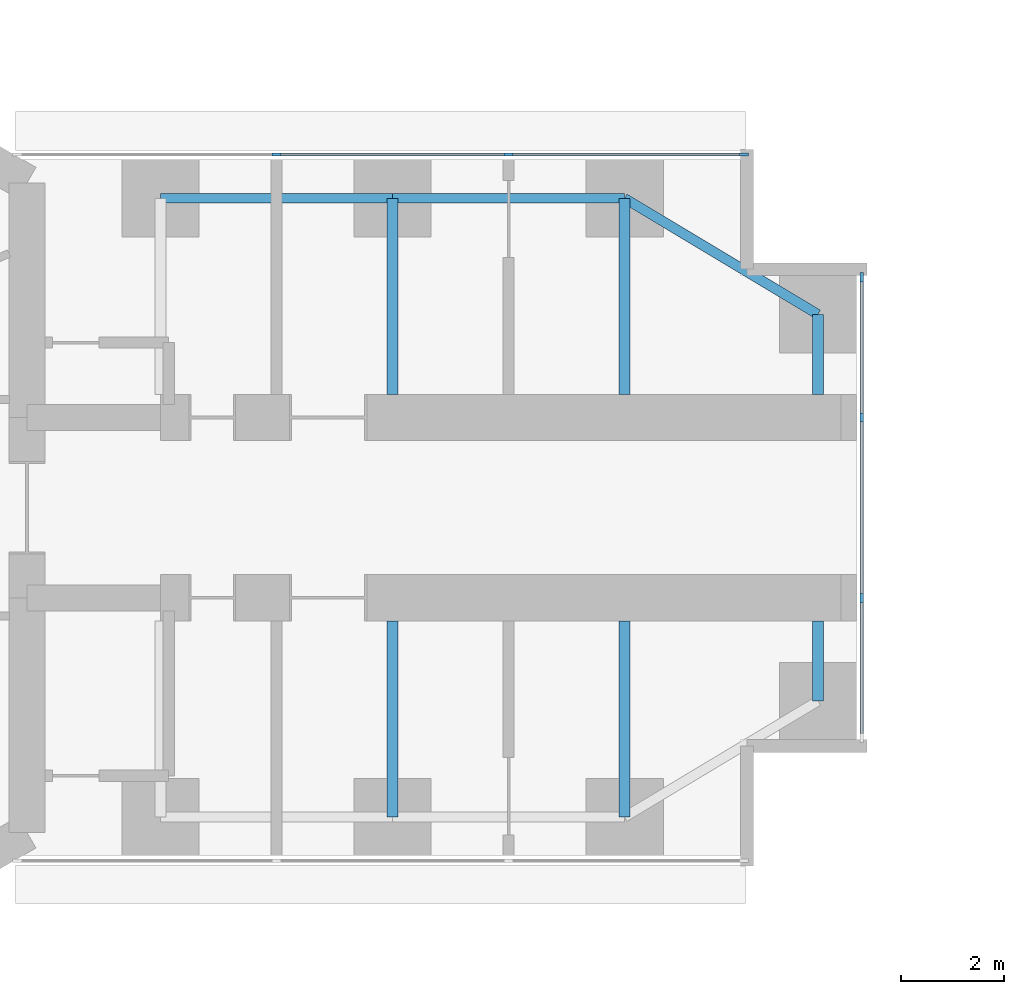
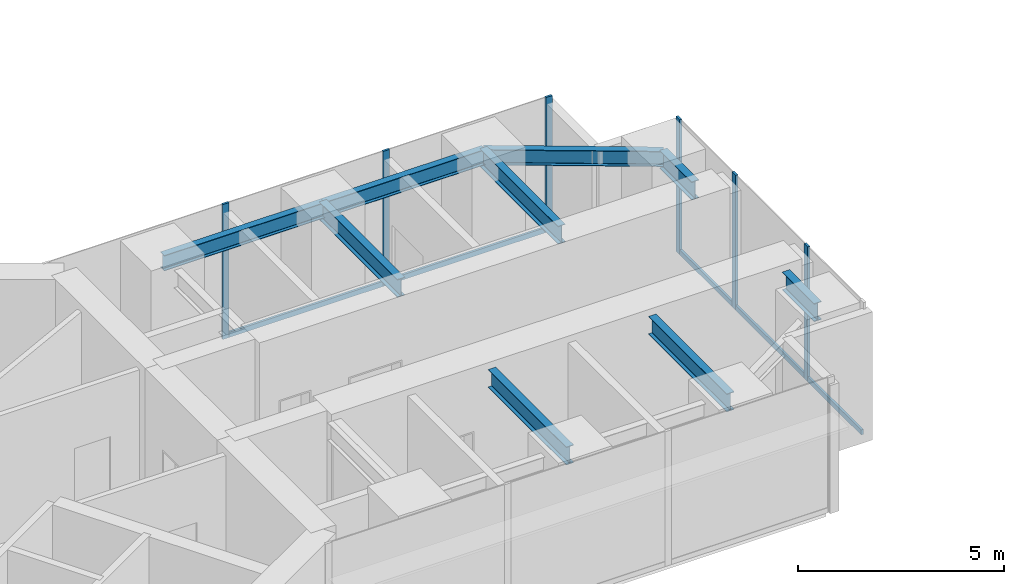
# One storey, part 8 of 22: 11 members, 9 beams, 2 elements without a shape of their own.
"""IFC4 building model written with IfcOpenShell, lengths in metres."""

from ifc_helpers import new_model, si_unit, direction, frame, origin, origin_2d, place, context, subcontext, project, spatial, rectangle, i_section, extrude, material, material_profile, profile_set, type_object, element, aggregate, save


model = new_model("IFC4")

# Units and contexts
model_context = context("Model", 3, precision=1e-05, world=origin(), true_north=direction((0.0, 1.0)))
body_context = subcontext(model_context, "Body", "Model", "MODEL_VIEW")
ifc_project = project(units=[si_unit("LENGTHUNIT", "METRE"), si_unit("AREAUNIT", "SQUARE_METRE"), si_unit("VOLUMEUNIT", "CUBIC_METRE"), si_unit("PLANEANGLEUNIT", "RADIAN"), si_unit("MASSUNIT", "GRAM", prefix="KILO")], contexts=[model_context])

# Site, building, storey
site_placement = place(None, origin())
site = spatial("IfcSite", under=ifc_project, at=site_placement, CompositionType="ELEMENT")
building_placement = place(site_placement, origin())
building = spatial("IfcBuilding", under=site, at=building_placement, Name="Upepo Twin Towers", CompositionType="ELEMENT")
storey_placement = place(building_placement, frame((0.0, 0.0, 40.5)))
storey = spatial("IfcBuildingStorey", under=building, at=storey_placement, Name="L09", CompositionType="ELEMENT", Elevation=40.5)

# Beams
ifc_material_1 = material(Name="Steel S355", Category="steel")
ifc_material_profile_1 = material_profile(ifc_material_1, i_section(OverallWidth=0.1904296875, OverallDepth=0.45703125, WebThickness=0.009033203125, FlangeThickness=0.014404296875, FilletRadius=0.01025390625, at=origin_2d()), Name="UB 457x191x74")
ifc_profile_set_1 = profile_set([ifc_material_profile_1], Name="Steel S355")
beam_type_1 = type_object("IfcBeamType", Name="Beam UB 457x191x74", PredefinedType="BEAM", material=ifc_profile_set_1)
for number, where, z_axis, x_axis, name in (
    (1, (13.5, 6.0, 3.571533203125), (1.0, 0.0, 0.0), (0.0, 1.0, 0.0), "T1 edge beam AL 13.5-18.0"),
    (2, (18.0, 6.0, 3.571533203125), (1.0, 0.0, 0.0), (0.0, 1.0, 0.0), "T1 edge beam AL 18.0-22.5"),
):
    element("IfcBeam", number, at=place(storey_placement, frame(where, z_axis=z_axis, x_axis=x_axis)), inside=storey, type_object=beam_type_1, Name=name, PredefinedType="BEAM", context=body_context, shape_type="SweptSolid", body=[
        extrude(i_section(OverallWidth=0.1904296875, OverallDepth=0.45703125, WebThickness=0.009033203125, FlangeThickness=0.014404296875, FilletRadius=0.01025390625, at=origin_2d()), origin(), (0.0, 0.0, 1.0), 4.5),
    ])
beam_placement = place(storey_placement, frame((22.5, 6.0, 3.571533203125), z_axis=(0.857492925713, -0.514495755428, 0.0), x_axis=(0.514495755428, 0.857492925713, 0.0)))
element("IfcBeam", 3, at=beam_placement, inside=storey, type_object=beam_type_1, Name="T1 nose edge beam AL", PredefinedType="BEAM", context=body_context, shape_type="SweptSolid", body=[
    extrude(i_section(OverallWidth=0.1904296875, OverallDepth=0.45703125, WebThickness=0.009033203125, FlangeThickness=0.014404296875, FilletRadius=0.01025390625, at=origin_2d()), origin(), (0.0, 0.0, 1.0), 4.373291015625),
])
ifc_material_2 = material(Name="Steel S355", Category="steel")
ifc_material_profile_2 = material_profile(ifc_material_2, i_section(OverallWidth=0.2099609375, OverallDepth=0.53662109375, WebThickness=0.0107421875, FlangeThickness=0.017333984375, FilletRadius=0.0126953125, at=origin_2d()), Name="UB 533x210x101")
ifc_profile_set_2 = profile_set([ifc_material_profile_2], Name="Steel S355")
beam_type_2 = type_object("IfcBeamType", Name="Beam UB 533x210x101", PredefinedType="BEAM", material=ifc_profile_set_2)
for number, where, z_axis, x_axis, name in (
    (4, (26.25, 3.75, 3.53173828125), (0.0, -1.0, 0.0), (1.0, 0.0, 0.0), "T1 nose beam AL"),
    (5, (26.25, -3.75, 3.53173828125), (0.0, 1.0, 0.0), (-1.0, 0.0, 0.0), "T1 nose beam AR"),
):
    element("IfcBeam", number, at=place(storey_placement, frame(where, z_axis=z_axis, x_axis=x_axis)), inside=storey, type_object=beam_type_2, Name=name, PredefinedType="BEAM", context=body_context, shape_type="SweptSolid", body=[
        extrude(i_section(OverallWidth=0.2099609375, OverallDepth=0.53662109375, WebThickness=0.0107421875, FlangeThickness=0.017333984375, FilletRadius=0.0126953125, at=origin_2d()), origin(), (0.0, 0.0, 1.0), 1.550048828125),
    ])
ifc_material_3 = material(Name="Steel S355", Category="steel")
ifc_material_profile_3 = material_profile(ifc_material_3, i_section(OverallWidth=0.209228515625, OverallDepth=0.533203125, WebThickness=0.010009765625, FlangeThickness=0.015625, FilletRadius=0.0126953125, at=origin_2d()), Name="UB 533x210x92")
ifc_profile_set_3 = profile_set([ifc_material_profile_3], Name="Steel S355")
beam_type_3 = type_object("IfcBeamType", Name="Beam UB 533x210x92", PredefinedType="BEAM", material=ifc_profile_set_3)
for number, where, z_axis, x_axis, name in (
    (6, (18.0, 6.0, 3.533447265625), (0.0, -1.0, 0.0), (1.0, 0.0, 0.0), "T1 girder AL at 18.0"),
    (7, (22.5, 6.0, 3.533447265625), (0.0, -1.0, 0.0), (1.0, 0.0, 0.0), "T1 girder AL at 22.5"),
    (8, (18.0, -6.0, 3.533447265625), (0.0, 1.0, 0.0), (-1.0, 0.0, 0.0), "T1 girder AR at 18.0"),
    (9, (22.5, -6.0, 3.533447265625), (0.0, 1.0, 0.0), (-1.0, 0.0, 0.0), "T1 girder AR at 22.5"),
):
    element("IfcBeam", number, at=place(storey_placement, frame(where, z_axis=z_axis, x_axis=x_axis)), inside=storey, type_object=beam_type_3, Name=name, PredefinedType="BEAM", context=body_context, shape_type="SweptSolid", body=[
        extrude(i_section(OverallWidth=0.209228515625, OverallDepth=0.533203125, WebThickness=0.010009765625, FlangeThickness=0.015625, FilletRadius=0.0126953125, at=origin_2d()), origin(), (0.0, 0.0, 1.0), 3.800048828125),
    ])

# Curtain wall, members
ifc_material_4 = material(Name="Aluminium and fritted glass", Category="aluminium")
curtain_wall_type = type_object("IfcCurtainWallType", Name="Tower curtain wall TW1, fritted glass", PredefinedType="NOTDEFINED", material=ifc_material_4)
curtain_wall_1_placement = place(storey_placement, origin())
curtain_wall_1 = element("IfcCurtainWall", 10, at=curtain_wall_1_placement, inside=storey, type_object=curtain_wall_type, Name="T1 L09 wing A flank L curtain wall", PredefinedType="NOTDEFINED")
ifc_material_5 = material(Name="Aluminium mullion", Category="aluminium")
ifc_material_profile_4 = material_profile(ifc_material_5, rectangle(XDim=0.06494140625, YDim=0.179931640625, at=origin_2d()), Name="MULLION 65x180")
ifc_profile_set_4 = profile_set([ifc_material_profile_4], Name="Aluminium mullion")
member_type_1 = type_object("IfcMemberType", Name="Mullion 65x180 TW1", PredefinedType="MULLION", material=ifc_profile_set_4)
member_1_placement = place(storey_placement, frame((15.75, 6.85009765625, 0.0), z_axis=(0.0, 0.0, 1.0), x_axis=(0.0, 1.0, 0.0)))
member_1 = element("IfcMember", 11, at=member_1_placement, type_object=member_type_1, Name="T1 L09 wing A flank L curtain wall mullion 2", PredefinedType="MULLION", context=body_context, shape_type="SweptSolid", body=[
    extrude(rectangle(XDim=0.06494140625, YDim=0.179931640625, at=origin_2d()), origin(), (0.0, 0.0, 1.0), 4.0),
])
member_2_placement = place(storey_placement, frame((20.25, 6.85009765625, 0.0), z_axis=(0.0, 0.0, 1.0), x_axis=(0.0, 1.0, 0.0)))
member_2 = element("IfcMember", 12, at=member_2_placement, type_object=member_type_1, Name="T1 L09 wing A flank L curtain wall mullion 3", PredefinedType="MULLION", context=body_context, shape_type="SweptSolid", body=[
    extrude(rectangle(XDim=0.06494140625, YDim=0.179931640625, at=origin_2d()), origin(), (0.0, 0.0, 1.0), 4.0),
])
member_3_placement = place(storey_placement, frame((24.8173828125, 6.85009765625, 0.0), z_axis=(0.0, 0.0, 1.0), x_axis=(0.0, 1.0, 0.0)))
member_3 = element("IfcMember", 13, at=member_3_placement, type_object=member_type_1, Name="T1 L09 wing A flank L curtain wall mullion 4", PredefinedType="MULLION", context=body_context, shape_type="SweptSolid", body=[
    extrude(rectangle(XDim=0.06494140625, YDim=0.179931640625, at=origin_2d()), origin(), (0.0, 0.0, 1.0), 4.0),
])

curtain_wall_2_placement = place(storey_placement, origin())
curtain_wall_2 = element("IfcCurtainWall", 14, at=curtain_wall_2_placement, inside=storey, type_object=curtain_wall_type, Name="T1 L09 wing A nose curtain wall", PredefinedType="NOTDEFINED")
member_4_placement = place(storey_placement, frame((27.10009765625, -1.75, 0.0), z_axis=(0.0, 0.0, 1.0), x_axis=(-1.0, 0.0, 0.0)))
member_4 = element("IfcMember", 15, at=member_4_placement, type_object=member_type_1, Name="T1 L09 wing A nose curtain wall mullion 2", PredefinedType="MULLION", context=body_context, shape_type="SweptSolid", body=[
    extrude(rectangle(XDim=0.06494140625, YDim=0.179931640625, at=origin_2d()), origin(), (0.0, 0.0, 1.0), 4.0),
])
member_5_placement = place(storey_placement, frame((27.10009765625, 1.75, 0.0), z_axis=(0.0, 0.0, 1.0), x_axis=(-1.0, 0.0, 0.0)))
member_5 = element("IfcMember", 16, at=member_5_placement, type_object=member_type_1, Name="T1 L09 wing A nose curtain wall mullion 3", PredefinedType="MULLION", context=body_context, shape_type="SweptSolid", body=[
    extrude(rectangle(XDim=0.06494140625, YDim=0.179931640625, at=origin_2d()), origin(), (0.0, 0.0, 1.0), 4.0),
])
member_6_placement = place(storey_placement, frame((27.10009765625, 4.467529296875, 0.0), z_axis=(0.0, 0.0, 1.0), x_axis=(-1.0, 0.0, 0.0)))
member_6 = element("IfcMember", 17, at=member_6_placement, type_object=member_type_1, Name="T1 L09 wing A nose curtain wall mullion 4", PredefinedType="MULLION", context=body_context, shape_type="SweptSolid", body=[
    extrude(rectangle(XDim=0.06494140625, YDim=0.179931640625, at=origin_2d()), origin(), (0.0, 0.0, 1.0), 4.0),
])

# Member
ifc_material_6 = material(Name="Aluminium transom", Category="aluminium")
ifc_material_profile_5 = material_profile(ifc_material_6, rectangle(XDim=0.06494140625, YDim=0.14990234375, at=origin_2d()), Name="TRANSOM 65x150")
ifc_profile_set_5 = profile_set([ifc_material_profile_5], Name="Aluminium transom")
member_type_2 = type_object("IfcMemberType", Name="Transom 65x150 TW1", PredefinedType="USERDEFINED", material=ifc_profile_set_5)
member_7_placement = place(storey_placement, frame((15.782470703125, 6.85009765625, 0.074951171875), z_axis=(1.0, 0.0, 0.0), x_axis=(0.0, 1.0, 0.0)))
member_7 = element("IfcMember", 18, at=member_7_placement, type_object=member_type_2, Name="T1 L09 wing A flank L curtain wall transom 2", ObjectType="TRANSOM", PredefinedType="USERDEFINED", context=body_context, shape_type="SweptSolid", body=[
    extrude(rectangle(XDim=0.06494140625, YDim=0.14990234375, at=origin_2d()), origin(), (0.0, 0.0, 1.0), 4.43505859375),
])

member_8_placement = place(storey_placement, frame((20.282470703125, 6.85009765625, 0.074951171875), z_axis=(1.0, 0.0, 0.0), x_axis=(0.0, 1.0, 0.0)))
member_8 = element("IfcMember", 19, at=member_8_placement, type_object=member_type_2, Name="T1 L09 wing A flank L curtain wall transom 3", ObjectType="TRANSOM", PredefinedType="USERDEFINED", context=body_context, shape_type="SweptSolid", body=[
    extrude(rectangle(XDim=0.06494140625, YDim=0.14990234375, at=origin_2d()), origin(), (0.0, 0.0, 1.0), 4.50244140625),
])

aggregate(curtain_wall_1, [member_1, member_2, member_3, member_7, member_8])

member_9_placement = place(storey_placement, frame((27.10009765625, -4.43505859375, 0.074951171875), z_axis=(0.0, 1.0, 0.0), x_axis=(-1.0, 0.0, 0.0)))
member_9 = element("IfcMember", 20, at=member_9_placement, type_object=member_type_2, Name="T1 L09 wing A nose curtain wall transom 1", ObjectType="TRANSOM", PredefinedType="USERDEFINED", context=body_context, shape_type="SweptSolid", body=[
    extrude(rectangle(XDim=0.06494140625, YDim=0.14990234375, at=origin_2d()), origin(), (0.0, 0.0, 1.0), 2.652587890625),
])

member_10_placement = place(storey_placement, frame((27.10009765625, -1.717529296875, 0.074951171875), z_axis=(0.0, 1.0, 0.0), x_axis=(-1.0, 0.0, 0.0)))
member_10 = element("IfcMember", 21, at=member_10_placement, type_object=member_type_2, Name="T1 L09 wing A nose curtain wall transom 2", ObjectType="TRANSOM", PredefinedType="USERDEFINED", context=body_context, shape_type="SweptSolid", body=[
    extrude(rectangle(XDim=0.06494140625, YDim=0.14990234375, at=origin_2d()), origin(), (0.0, 0.0, 1.0), 3.43505859375),
])

member_11_placement = place(storey_placement, frame((27.10009765625, 1.782470703125, 0.074951171875), z_axis=(0.0, 1.0, 0.0), x_axis=(-1.0, 0.0, 0.0)))
member_11 = element("IfcMember", 22, at=member_11_placement, type_object=member_type_2, Name="T1 L09 wing A nose curtain wall transom 3", ObjectType="TRANSOM", PredefinedType="USERDEFINED", context=body_context, shape_type="SweptSolid", body=[
    extrude(rectangle(XDim=0.06494140625, YDim=0.14990234375, at=origin_2d()), origin(), (0.0, 0.0, 1.0), 2.652587890625),
])

aggregate(curtain_wall_2, [member_4, member_5, member_6, member_9, member_10, member_11])

save(model, "model.ifc")
